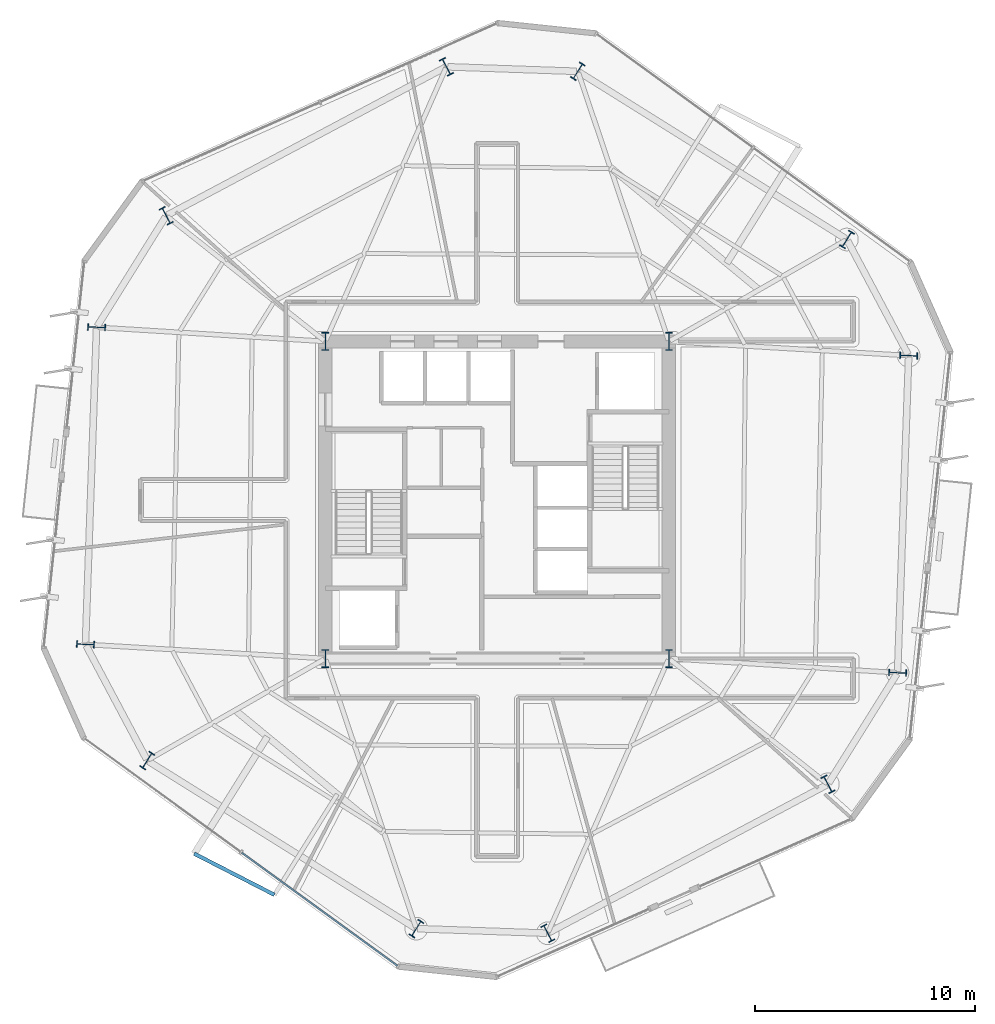
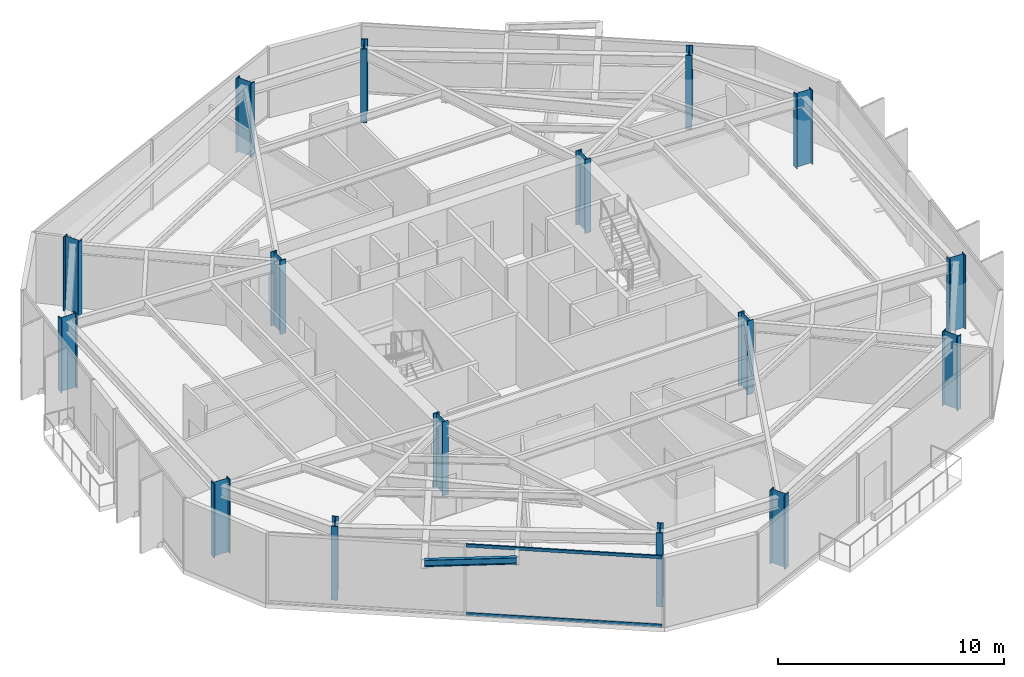
# One storey, part 1 of 13: 16 columns, 2 members, 1 beam, 1 element without a shape of its own.
"""IFC4 building model written with IfcOpenShell, lengths in metres."""

import ifcopenshell
import ifcopenshell.guid

model = None  # the IFC model being written
_history = None  # IfcOwnerHistory: only IFC2X3 demands one
_inside = {}  # id of a spatial element -> (the spatial element, [elements in it])
_under = {}  # id of a project, library or spatial element -> (it, [spatial elements below it])
_declared = {}  # id of a project -> (the project, [libraries it declares])
_typed = {}  # id of a type object -> (the type object, [elements of that type])
_made_of = {}  # id of a material, layer set ... -> (it, [elements and type objects made of it])


def new_model(schema):
    """Start an empty IFC model of exactly this schema.

    Asked for "IFC4X3", IfcOpenShell would pick the latest addendum, in which some entities
    have other attributes; the version numbers below select the first issue.
    IFC2X3 requires an IfcOwnerHistory on every rooted entity: one is made here for all.
    """
    global model, _history
    if schema == "IFC4X3":
        model = ifcopenshell.file(schema_version=(4, 3, 0, 0))
    else:
        model = ifcopenshell.file(schema=schema)
    _inside.clear()
    _under.clear()
    _declared.clear()
    _typed.clear()
    _made_of.clear()
    _history = None
    if model.schema == "IFC2X3":
        org = make("IfcOrganization", Name="unknown")
        user = make(
            "IfcPersonAndOrganization",
            ThePerson=make("IfcPerson", FamilyName="unknown"),
            TheOrganization=org,
        )
        app = make(
            "IfcApplication",
            ApplicationDeveloper=org,
            Version="unknown",
            ApplicationFullName="unknown",
            ApplicationIdentifier="unknown",
        )
        _history = make(
            "IfcOwnerHistory",
            OwningUser=user,
            OwningApplication=app,
            ChangeAction="ADDED",
            CreationDate=0,
        )
    return model


def make(cls, **values):
    """One entity of the class cls with the attributes given. An attribute that is None is left unset."""
    return model.create_entity(
        cls, **{name: value for name, value in values.items() if value is not None}
    )


def rooted(cls, **values):
    """An entity with a GlobalId (a new one), such as an element, a storey or a relation."""
    return make(cls, GlobalId=ifcopenshell.guid.new(), OwnerHistory=_history, **values)


def si_unit(unit_type, name, prefix=None):
    """IfcSIUnit, for example si_unit("LENGTHUNIT", "METRE", prefix="MILLI")."""
    return make("IfcSIUnit", UnitType=unit_type, Prefix=prefix, Name=name)


def assignment(units):
    """IfcUnitAssignment: the units of a project."""
    return None if units is None else make("IfcUnitAssignment", Units=units)


def point(xyz):
    """IfcCartesianPoint."""
    return None if xyz is None else make("IfcCartesianPoint", Coordinates=xyz)


def direction(xyz):
    """IfcDirection."""
    return None if xyz is None else make("IfcDirection", DirectionRatios=xyz)


def frame(location, z_axis=None, x_axis=None):
    """IfcAxis2Placement3D, a coordinate frame: its origin and axes. An axis left out is left unset."""
    return make(
        "IfcAxis2Placement3D",
        Location=point(location),
        Axis=direction(z_axis),
        RefDirection=direction(x_axis),
    )


def frame_2d(location, x_axis=None):
    """IfcAxis2Placement2D, a coordinate frame in the plane: its origin and x axis."""
    return make(
        "IfcAxis2Placement2D", Location=point(location), RefDirection=direction(x_axis)
    )


def origin():
    """The frame at (0, 0, 0) with its axes left unset."""
    return frame((0.0, 0.0, 0.0))


def origin_2d():
    """The frame at (0, 0) in the plane with its x axis left unset."""
    return frame_2d((0.0, 0.0))


def place(relative_to, where):
    """IfcLocalPlacement: puts the frame where relative to a parent placement (None: the world)."""
    return make(
        "IfcLocalPlacement", PlacementRelTo=relative_to, RelativePlacement=where
    )


def context(
    kind, dimensions, precision=None, world=None, true_north=None, identifier=None
):
    """IfcGeometricRepresentationContext, for example the 3D "Model" context."""
    return make(
        "IfcGeometricRepresentationContext",
        ContextIdentifier=identifier,
        ContextType=kind,
        CoordinateSpaceDimension=dimensions,
        Precision=precision,
        WorldCoordinateSystem=world,
        TrueNorth=true_north,
    )


def subcontext(parent, identifier, kind, view, scale=None):
    """IfcGeometricRepresentationSubContext, for example "Body" below "Model"."""
    return make(
        "IfcGeometricRepresentationSubContext",
        ContextIdentifier=identifier,
        ContextType=kind,
        ParentContext=parent,
        TargetScale=scale,
        TargetView=view,
    )


def project(units=None, contexts=None):
    """IfcProject with its units and contexts."""
    return rooted(
        "IfcProject",
        Name="project",
        RepresentationContexts=contexts,
        UnitsInContext=assignment(units),
    )


def spatial(cls, under=None, at=None, **own):
    """A site, building, storey or space (cls), placed at a placement, below another one or the project."""
    s = rooted(cls, ObjectPlacement=at, **own)
    if under is not None:
        _under.setdefault(under.id(), (under, []))[1].append(s)
    return s


def profile(cls, at=None, kind="AREA", **sizes):
    """A parametric profile (cls). Its sizes go by their IFC names, for example OverallWidth=200.0."""
    return make(cls, ProfileType=kind, Position=at, **sizes)


def rectangle(**sizes):
    """IfcRectangleProfileDef."""
    return profile("IfcRectangleProfileDef", **sizes)


def i_section(**sizes):
    """IfcIShapeProfileDef."""
    return profile("IfcIShapeProfileDef", **sizes)


def extrude(swept, where, along, depth):
    """IfcExtrudedAreaSolid: the profile swept, set in the frame where, extruded along a direction by depth."""
    return make(
        "IfcExtrudedAreaSolid",
        SweptArea=swept,
        Position=where,
        ExtrudedDirection=direction(along),
        Depth=depth,
    )


def shape(context_of_items, identifier, shape_type, items):
    """IfcShapeRepresentation: the items that make up one representation, for example the "Body"."""
    return make(
        "IfcShapeRepresentation",
        ContextOfItems=context_of_items,
        RepresentationIdentifier=identifier,
        RepresentationType=shape_type,
        Items=items,
    )


def material(Name=None, Category=None):
    """IfcMaterial."""
    return make("IfcMaterial", Name=Name, Category=Category)


def layer(
    of_material, thickness, ventilated=None, Name=None, Category=None, Priority=None
):
    """IfcMaterialLayer: one layer of a wall or slab, of a material (None: an air gap)."""
    return make(
        "IfcMaterialLayer",
        Material=of_material,
        LayerThickness=thickness,
        IsVentilated=ventilated,
        Name=Name,
        Category=Category,
        Priority=Priority,
    )


def layer_set(layers, Name=None):
    """IfcMaterialLayerSet."""
    return make("IfcMaterialLayerSet", MaterialLayers=layers, LayerSetName=Name)


def material_profile(
    of_material, cross_section, Name=None, Category=None, Priority=None
):
    """IfcMaterialProfile: a cross section and its material."""
    return make(
        "IfcMaterialProfile",
        Name=Name,
        Material=of_material,
        Profile=cross_section,
        Priority=Priority,
        Category=Category,
    )


def profile_set(profiles, Name=None, composite=None):
    """IfcMaterialProfileSet."""
    return make(
        "IfcMaterialProfileSet",
        Name=Name,
        MaterialProfiles=profiles,
        CompositeProfile=composite,
    )


def made_of(thing, what):
    """Note that an element or type object is made of a material, layer set ...; save() writes the relation."""
    if what is not None:
        _made_of.setdefault(what.id(), (what, []))[1].append(thing)
    return thing


def type_object(cls, material=None, **own):
    """A type object (cls), such as IfcWallType, which elements share."""
    return made_of(rooted(cls, **own), material)


def element(
    cls,
    number,
    at=None,
    inside=None,
    cuts=None,
    type_object=None,
    material=None,
    context=None,
    identifier="Body",
    shape_type=None,
    held_by="IfcProductDefinitionShape",
    body=None,
    shapes=None,
    **own,
):
    """One element of the class cls, such as IfcWall. Its Tag is "e" and its number.

    at: its placement. inside: the storey or other place that contains it. cuts: it is an
    opening in that element (IfcRelVoidsElement). A single representation is given by context,
    identifier, shape_type and body (its items); several are given by shapes. held_by: the class
    of the entity that holds the representations. save() writes the other relations.
    """
    e = rooted(cls, Tag="e%d" % number, ObjectPlacement=at, **own)
    if body is not None:
        shapes = [shape(context, identifier, shape_type, body)]
    if shapes is not None:
        e.Representation = make(held_by, Representations=shapes)
    if inside is not None:
        _inside.setdefault(inside.id(), (inside, []))[1].append(e)
    if cuts is not None:
        rooted(
            "IfcRelVoidsElement", RelatingBuildingElement=cuts, RelatedOpeningElement=e
        )
    if type_object is not None:
        _typed.setdefault(type_object.id(), (type_object, []))[1].append(e)
    return made_of(e, material)


def aggregate(whole, parts):
    """IfcRelAggregates: a whole, such as a stair, and the parts it consists of."""
    return rooted("IfcRelAggregates", RelatingObject=whole, RelatedObjects=parts)


def save(model, path):
    """Write the relations noted so far, then the file.

    IfcRelAggregates (storeys below a building ...), IfcRelContainedInSpatialStructure (elements
    in a storey), IfcRelDefinesByType, IfcRelAssociatesMaterial and IfcRelDeclares: one each for
    every whole, place, type object, material and project.
    """
    for whole, parts in _under.values():
        aggregate(whole, parts)
    for where, things in _inside.values():
        rooted(
            "IfcRelContainedInSpatialStructure",
            RelatedElements=things,
            RelatingStructure=where,
        )
    for kind, things in _typed.values():
        rooted("IfcRelDefinesByType", RelatedObjects=things, RelatingType=kind)
    for what, things in _made_of.values():
        rooted("IfcRelAssociatesMaterial", RelatedObjects=things, RelatingMaterial=what)
    for by, libraries in _declared.values():
        rooted("IfcRelDeclares", RelatingContext=by, RelatedDefinitions=libraries)
    model.write(path)


model = new_model("IFC4")

# Units and contexts
model_context = context("Model", 3, precision=1e-05, world=origin(), true_north=direction((0.0, 1.0)))
body_context = subcontext(model_context, "Body", "Model", "MODEL_VIEW")
ifc_project = project(units=[si_unit("LENGTHUNIT", "METRE"), si_unit("AREAUNIT", "SQUARE_METRE"), si_unit("VOLUMEUNIT", "CUBIC_METRE"), si_unit("PLANEANGLEUNIT", "RADIAN"), si_unit("MASSUNIT", "GRAM", prefix="KILO")], contexts=[model_context])

# Site, building, storey
site_placement = place(None, origin())
site = spatial("IfcSite", under=ifc_project, at=site_placement, CompositionType="ELEMENT")
building_placement = place(site_placement, origin())
building = spatial("IfcBuilding", under=site, at=building_placement, Name="Kranzbogen Civic Tower", CompositionType="ELEMENT")
storey_placement = place(building_placement, frame((0.0, 0.0, 118.39990234375)))
storey = spatial("IfcBuildingStorey", under=building, at=storey_placement, Name="L28", CompositionType="ELEMENT", Elevation=118.39990234375)

# Columns
ifc_material_1 = material(Name="Steel S460", Category="steel")
ifc_material_profile_1 = material_profile(ifc_material_1, i_section(OverallWidth=0.302978515625, OverallDepth=0.81396484375, WebThickness=0.02099609375, FlangeThickness=0.0400390625, at=origin_2d()), Name="HEM 800")
ifc_profile_set_1 = profile_set([ifc_material_profile_1], Name="Steel S460")
column_type = type_object("IfcColumnType", Name="Structural Column HEM 800", PredefinedType="COLUMN", material=ifc_profile_set_1)
for number, where, z_axis, x_axis, name in (
    (1, (17.199951171875, 17.800048828125, 0.0), (0.0, 0.0, 1.0), (1.0, 0.0, 0.0), "L28 composite core corner column 1"),
    (2, (32.800048828125, 17.800048828125, 0.0), (0.0, 0.0, 1.0), (1.0, 0.0, 0.0), "L28 composite core corner column 2"),
    (3, (32.800048828125, 32.199951171875, 0.0), (0.0, 0.0, 1.0), (1.0, 0.0, 0.0), "L28 composite core corner column 3"),
    (4, (17.199951171875, 32.199951171875, 0.0), (0.0, 0.0, 1.0), (1.0, 0.0, 0.0), "L28 composite core corner column 4"),
    (5, (40.885986328125, 36.8291015625, 0.0), (0.0, 0.0, 1.0), (-0.848048096156, 0.529919264233, 0.0), "L28 tower perimeter tube column 01"),
    (6, (28.66796875, 44.464111328125, 0.0), (0.0, 0.0, 1.0), (-0.848048096156, 0.529919264233, 0.0), "L28 tower perimeter tube column 02"),
    (7, (22.698974609375, 44.672119140625, 0.0), (0.0, 0.0, 1.0), (0.882947592859, 0.469471562786, 0.0), "L28 tower perimeter tube column 03"),
    (8, (9.97705078125, 37.907958984375, 0.0), (0.0, 0.0, 1.0), (0.882947592859, 0.469471562786, 0.0), "L28 tower perimeter tube column 04"),
    (9, (6.81298828125, 32.843994140625, 0.0), (0.0, 0.0, 1.0), (0.034899496703, 0.999390827019, 0.0), "L28 tower perimeter tube column 05"),
    (10, (6.31005859375, 18.444091796875, 0.0), (0.0, 0.0, 1.0), (0.034899496703, 0.999390827019, 0.0), "L28 tower perimeter tube column 06"),
    (11, (9.114013671875, 13.1708984375, 0.0), (0.0, 0.0, 1.0), (-0.848048096156, 0.529919264233, 0.0), "L28 tower perimeter tube column 07"),
    (12, (21.33203125, 5.535888671875, 0.0), (0.0, 0.0, 1.0), (-0.848048096156, 0.529919264233, 0.0), "L28 tower perimeter tube column 08"),
    (13, (27.301025390625, 5.327880859375, 0.0), (0.0, 0.0, 1.0), (0.882947592859, 0.469471562786, 0.0), "L28 tower perimeter tube column 09"),
    (14, (40.02294921875, 12.092041015625, 0.0), (0.0, 0.0, 1.0), (0.882947592859, 0.469471562786, 0.0), "L28 tower perimeter tube column 10"),
    (15, (43.18701171875, 17.156005859375, 0.0), (0.0, 0.0, 1.0), (0.034899496703, 0.999390827019, 0.0), "L28 tower perimeter tube column 11"),
    (16, (43.68994140625, 31.555908203125, 0.0), (0.0, 0.0, 1.0), (0.034899496703, 0.999390827019, 0.0), "L28 tower perimeter tube column 12"),
):
    element("IfcColumn", number, at=place(storey_placement, frame(where, z_axis=z_axis, x_axis=x_axis)), inside=storey, type_object=column_type, Name=name, PredefinedType="COLUMN", context=body_context, shape_type="SweptSolid", body=[
        extrude(i_section(OverallWidth=0.302978515625, OverallDepth=0.81396484375, WebThickness=0.02099609375, FlangeThickness=0.0400390625, at=origin_2d()), origin(), (0.0, 0.0, 1.0), 4.0),
    ])

# Curtain wall, members
ifc_material_2 = material(Name="Pale Anodised Aluminium", Category="aluminium")
ifc_layer = layer(ifc_material_2, 0.219970703125, Name="Pale Anodised Aluminium")
ifc_layer_set = layer_set([ifc_layer], Name="Pale Anodised Aluminium")
curtain_wall_type = type_object("IfcCurtainWallType", Name="Zone 2 Stick Curtain Wall System CW-03", PredefinedType="USERDEFINED", material=ifc_layer_set)
curtain_wall_placement = place(storey_placement, origin())
curtain_wall = element("IfcCurtainWall", 17, at=curtain_wall_placement, inside=storey, type_object=curtain_wall_type, Name="L28 curtain wall CW-L28-F4", ObjectType="STICK CURTAIN WALL", PredefinedType="USERDEFINED")
ifc_material_profile_2 = material_profile(ifc_material_2, rectangle(XDim=0.074951171875, YDim=0.1650390625, at=origin_2d()), Name="ALU-T 75x165")
ifc_profile_set_2 = profile_set([ifc_material_profile_2], Name="Pale Anodised Aluminium")
member_type = type_object("IfcMemberType", Name="Curtain Wall Transom ALU-T 75x165", PredefinedType="USERDEFINED", material=ifc_profile_set_2)
member_1_placement = place(storey_placement, frame((13.40234375, 8.986328125, 0.030029296875), z_axis=(0.8089943745, -0.587816384619, 0.0), x_axis=(0.587816384619, 0.8089943745, 0.0)))
member_1 = element("IfcMember", 18, at=member_1_placement, type_object=member_type, Name="CW-03 transom 2.1", ObjectType="TRANSOM", PredefinedType="USERDEFINED", context=body_context, shape_type="SweptSolid", body=[
    extrude(rectangle(XDim=0.074951171875, YDim=0.1650390625, at=origin_2d()), origin(), (0.0, 0.0, 1.0), 8.744384765625),
])
member_2_placement = place(storey_placement, frame((13.40234375, 8.986328125, 3.72998046875), z_axis=(0.8089943745, -0.587816384619, 0.0), x_axis=(0.587816384619, 0.8089943745, 0.0)))
member_2 = element("IfcMember", 19, at=member_2_placement, type_object=member_type, Name="CW-03 transom 2.2", ObjectType="TRANSOM", PredefinedType="USERDEFINED", context=body_context, shape_type="SweptSolid", body=[
    extrude(rectangle(XDim=0.074951171875, YDim=0.1650390625, at=origin_2d()), origin(), (0.0, 0.0, 1.0), 8.744384765625),
])
aggregate(curtain_wall, [member_1, member_2])

# Beam
ifc_material_3 = material(Name="Steel S355", Category="steel")
ifc_material_profile_3 = material_profile(ifc_material_3, i_section(OverallWidth=0.169921875, OverallDepth=0.360107421875, WebThickness=0.008056640625, FlangeThickness=0.0126953125, at=origin_2d()), Name="IPE 360")
ifc_profile_set_3 = profile_set([ifc_material_profile_3], Name="Steel S355")
beam_type = type_object("IfcBeamType", Name="Secondary Composite Floor Joist IPE 360", PredefinedType="JOIST", material=ifc_profile_set_3)
beam_placement = place(storey_placement, frame((11.25, 8.93994140625, 3.570068359375), z_axis=(0.889587998437, -0.456763826323, 0.0), x_axis=(0.456763826323, 0.889587998437, 0.0)))
element("IfcBeam", 20, at=beam_placement, inside=storey, type_object=beam_type, Name="L29 terrace outer edge trimmer L29-TB2", PredefinedType="JOIST", context=body_context, shape_type="SweptSolid", body=[
    extrude(i_section(OverallWidth=0.169921875, OverallDepth=0.360107421875, WebThickness=0.008056640625, FlangeThickness=0.0126953125, at=origin_2d()), origin(), (0.0, 0.0, 1.0), 4.08935546875),
])

save(model, "model.ifc")
